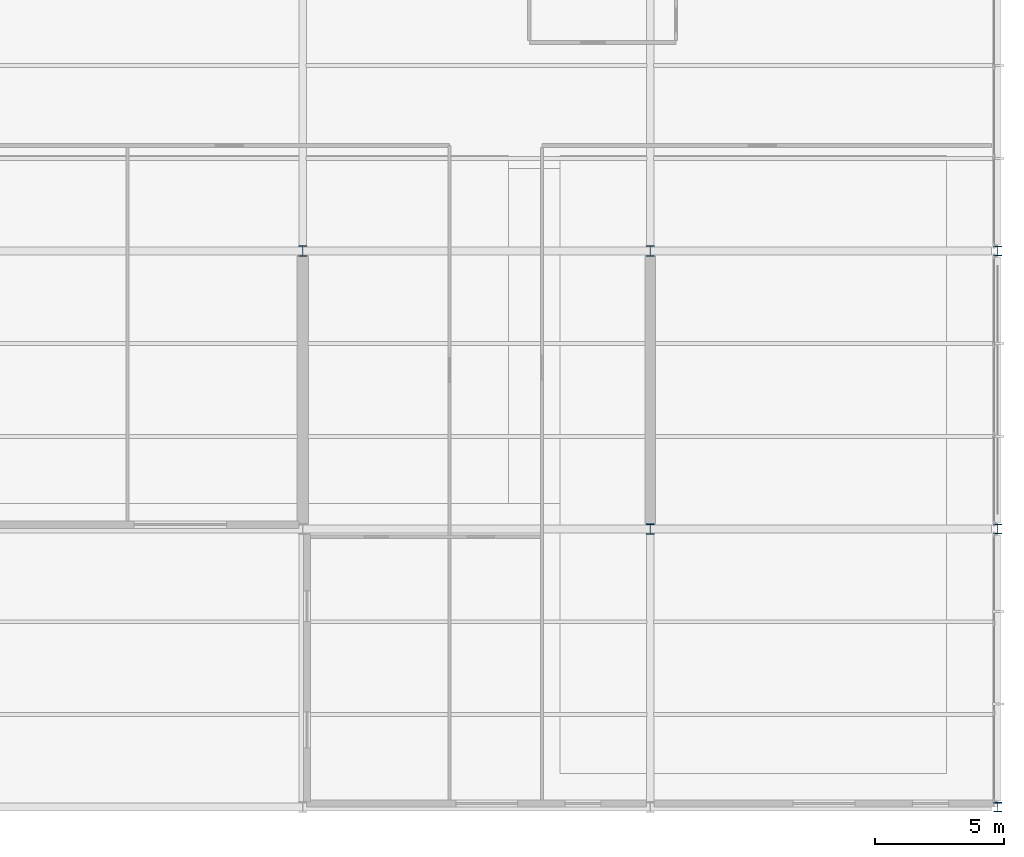
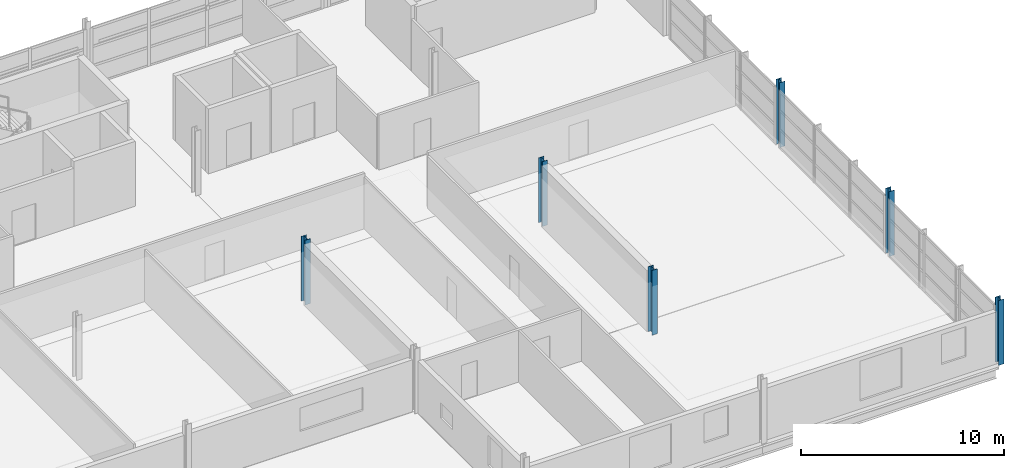
# One storey, part 2 of 33: 6 columns.
"""IFC4 building model written with IfcOpenShell, lengths in metres."""

from ifc_helpers import new_model, si_unit, direction, frame, origin, origin_2d, place, context, subcontext, project, spatial, i_section, extrude, material, material_profile, profile_set, type_object, element, save


model = new_model("IFC4")

# Units and contexts
model_context = context("Model", 3, precision=1e-05, world=origin(), true_north=direction((0.0, 1.0)))
body_context = subcontext(model_context, "Body", "Model", "MODEL_VIEW")
ifc_project = project(units=[si_unit("LENGTHUNIT", "METRE"), si_unit("AREAUNIT", "SQUARE_METRE"), si_unit("VOLUMEUNIT", "CUBIC_METRE"), si_unit("PLANEANGLEUNIT", "RADIAN"), si_unit("MASSUNIT", "GRAM", prefix="KILO")], contexts=[model_context])

# Site, building, storey
site_placement = place(None, origin())
site = spatial("IfcSite", under=ifc_project, at=site_placement, CompositionType="ELEMENT")
building_placement = place(site_placement, origin())
building = spatial("IfcBuilding", under=site, at=building_placement, Name="Tamarisk Ironworks Central Station", CompositionType="ELEMENT")
storey_placement = place(building_placement, frame((0.0, 0.0, 21.300048828125)))
storey = spatial("IfcBuildingStorey", under=building, at=storey_placement, Name="L04", CompositionType="ELEMENT", Elevation=21.300048828125)

# Columns
ifc_material = material(Name="Structural steel S355J2", Category="steel")
ifc_material_profile_1 = material_profile(ifc_material, i_section(OverallWidth=0.300048828125, OverallDepth=0.39990234375, WebThickness=0.013427734375, FlangeThickness=0.02392578125, at=origin_2d()), Name="HEB 400")
ifc_profile_set_1 = profile_set([ifc_material_profile_1], Name="Structural steel S355J2")
column_type_1 = type_object("IfcColumnType", Name="COL-S09", PredefinedType="COLUMN", material=ifc_profile_set_1)
for number, where, z_axis, x_axis, name in (
    (1, (153.0, 100.800048828125, 0.0), (0.0, 0.0, 1.0), (1.0, 0.0, 0.0), "L04 column V5-18J"),
    (2, (166.5, 90.0, 0.0), (0.0, 0.0, 1.0), (1.0, 0.0, 0.0), "L04 column V5-19H"),
    (3, (166.5, 100.800048828125, 0.0), (0.0, 0.0, 1.0), (1.0, 0.0, 0.0), "L04 column V5-19J"),
):
    element("IfcColumn", number, at=place(storey_placement, frame(where, z_axis=z_axis, x_axis=x_axis)), inside=storey, type_object=column_type_1, Name=name, PredefinedType="COLUMN", context=body_context, shape_type="SweptSolid", body=[
        extrude(i_section(OverallWidth=0.300048828125, OverallDepth=0.39990234375, WebThickness=0.013427734375, FlangeThickness=0.02392578125, at=origin_2d()), origin(), (0.0, 0.0, 1.0), 3.89990234375),
    ])
ifc_material_profile_2 = material_profile(ifc_material, i_section(OverallWidth=0.300048828125, OverallDepth=0.360107421875, WebThickness=0.012451171875, FlangeThickness=0.0224609375, at=origin_2d()), Name="HEB 360")
ifc_profile_set_2 = profile_set([ifc_material_profile_2], Name="Structural steel S355J2")
column_type_2 = type_object("IfcColumnType", Name="COL-S10", PredefinedType="COLUMN", material=ifc_profile_set_2)
for number, where, z_axis, x_axis, name in (
    (4, (180.0, 79.199951171875, 0.0), (0.0, 0.0, 1.0), (1.0, 0.0, 0.0), "L04 column V5-20G"),
    (5, (180.0, 90.0, 0.0), (0.0, 0.0, 1.0), (1.0, 0.0, 0.0), "L04 column V5-20H"),
    (6, (180.0, 100.800048828125, 0.0), (0.0, 0.0, 1.0), (1.0, 0.0, 0.0), "L04 column V5-20J"),
):
    element("IfcColumn", number, at=place(storey_placement, frame(where, z_axis=z_axis, x_axis=x_axis)), inside=storey, type_object=column_type_2, Name=name, PredefinedType="COLUMN", context=body_context, shape_type="SweptSolid", body=[
        extrude(i_section(OverallWidth=0.300048828125, OverallDepth=0.360107421875, WebThickness=0.012451171875, FlangeThickness=0.0224609375, at=origin_2d()), origin(), (0.0, 0.0, 1.0), 3.89990234375),
    ])

save(model, "model.ifc")
